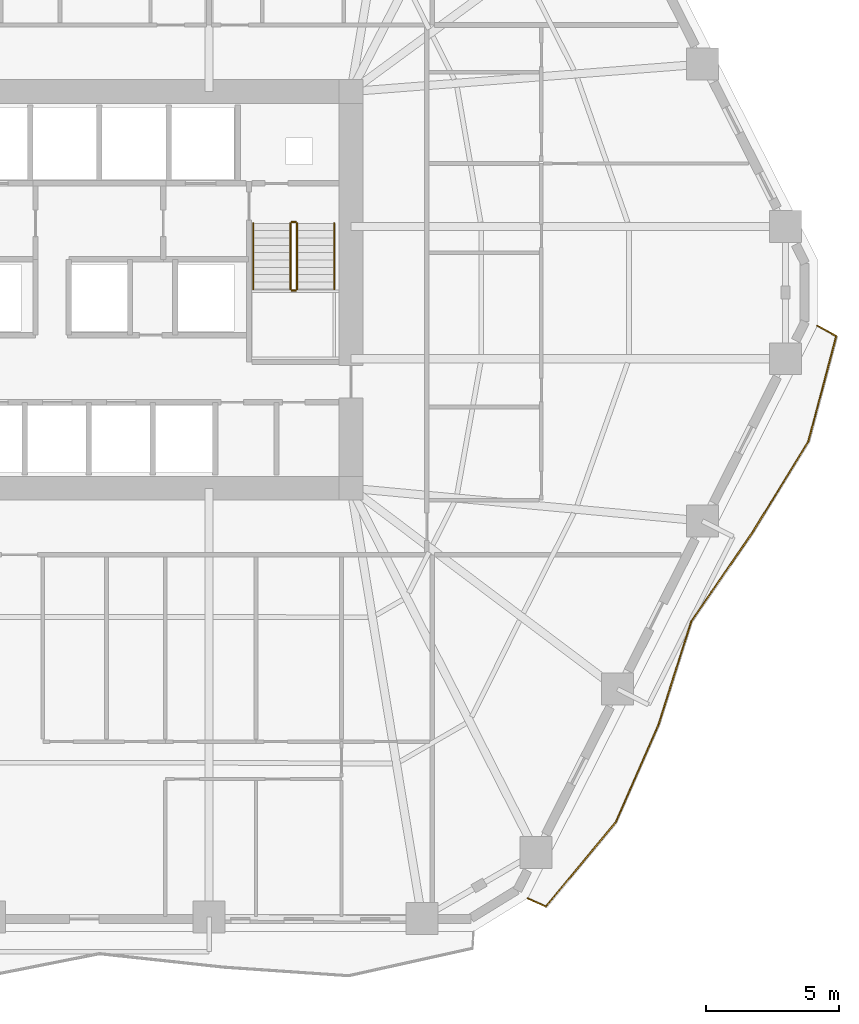
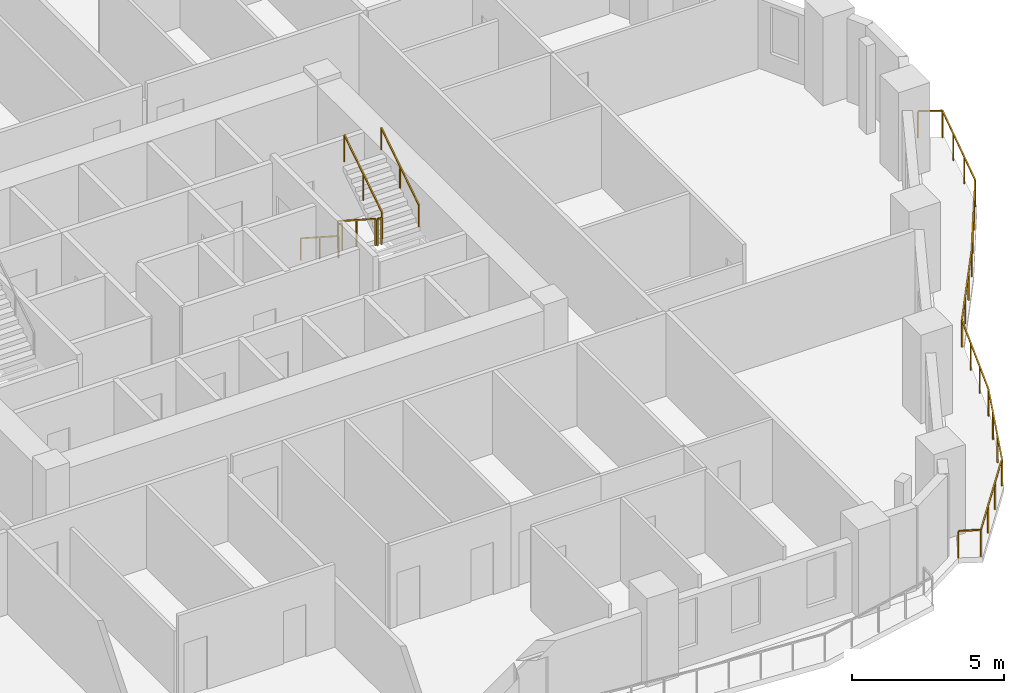
# One storey, part 11 of 12: 7 railings.
"""IFC4 building model written with IfcOpenShell, lengths in metres."""

from ifc_helpers import new_model, si_unit, direction, frame, origin, origin_2d, place, context, subcontext, project, spatial, rectangle, extrude, material, type_object, element, save


model = new_model("IFC4")

# Units and contexts
model_context = context("Model", 3, precision=1e-05, world=origin(), true_north=direction((0.0, 1.0)))
body_context = subcontext(model_context, "Body", "Model", "MODEL_VIEW")
ifc_project = project(units=[si_unit("LENGTHUNIT", "METRE"), si_unit("AREAUNIT", "SQUARE_METRE"), si_unit("VOLUMEUNIT", "CUBIC_METRE"), si_unit("PLANEANGLEUNIT", "RADIAN"), si_unit("MASSUNIT", "GRAM", prefix="KILO")], contexts=[model_context])

# Site, building, storey
site_placement = place(None, origin())
site = spatial("IfcSite", under=ifc_project, at=site_placement, CompositionType="ELEMENT")
building_placement = place(site_placement, origin())
building = spatial("IfcBuilding", under=site, at=building_placement, Name="Cinnabar Lancet Tower", CompositionType="ELEMENT")
storey_placement = place(building_placement, frame((0.0, 0.0, 32.0)))
storey = spatial("IfcBuildingStorey", under=building, at=storey_placement, Name="L07", CompositionType="ELEMENT", Elevation=32.0)

# Railings
ifc_material_1 = material(Name="Laminated safety glass and bronze stainless steel balustrade", Category="steel")
railing_type_1 = type_object("IfcRailingType", Name="ENV-RLG-BAL-1100", PredefinedType="BALUSTRADE", material=ifc_material_1)
railing_1_placement = place(storey_placement, frame((48.488037109375, 3.049072265625, 0.0)))
element("IfcRailing", 1, at=railing_1_placement, inside=storey, type_object=railing_type_1, Name="L07 Face 2 Wave Balcony Balustrade", PredefinedType="BALUSTRADE", context=body_context, shape_type="SweptSolid", body=[
    extrude(rectangle(XDim=0.048095703125, YDim=0.048095703125, at=origin_2d()), frame((0.0, 0.0, 1.076171875), z_axis=(0.911116710609, -0.412148443706, 0.0), x_axis=(0.412148443706, 0.911116710609, 0.0)), (0.0, 0.0, 1.0), 0.7451171875),
    extrude(rectangle(XDim=0.048095703125, YDim=0.048095703125, at=origin_2d()), frame((0.678955078125, -0.30712890625, 1.076171875), z_axis=(0.638452657752, 0.769661096724, 0.0), x_axis=(-0.769661096724, 0.638452657752, 0.0)), (0.0, 0.0, 1.0), 4.1083984375),
    extrude(rectangle(XDim=0.048095703125, YDim=0.048095703125, at=origin_2d()), frame((3.302001953125, 2.85498046875, 1.076171875), z_axis=(0.401817189308, 0.915719906072, 0.0), x_axis=(-0.915719906072, 0.401817189308, 0.0)), (0.0, 0.0, 1.0), 4.014404296875),
    extrude(rectangle(XDim=0.048095703125, YDim=0.048095703125, at=origin_2d()), frame((4.9150390625, 6.531005859375, 1.076171875), z_axis=(0.30182517961, 0.953363289074, 0.0), x_axis=(-0.953363289074, 0.30182517961, 0.0)), (0.0, 0.0, 1.0), 4.05810546875),
    extrude(rectangle(XDim=0.048095703125, YDim=0.048095703125, at=origin_2d()), frame((6.139892578125, 10.39990234375, 1.076171875), z_axis=(0.567072174899, 0.823668105765, 0.0), x_axis=(-0.823668105765, 0.567072174899, 0.0)), (0.0, 0.0, 1.0), 4.041748046875),
    extrude(rectangle(XDim=0.048095703125, YDim=0.048095703125, at=origin_2d()), frame((8.431884765625, 13.72900390625, 1.076171875), z_axis=(0.52362973773, 0.851945947678, 0.0), x_axis=(-0.851945947678, 0.52362973773, 0.0)), (0.0, 0.0, 1.0), 4.02001953125),
    extrude(rectangle(XDim=0.048095703125, YDim=0.048095703125, at=origin_2d()), frame((10.536865234375, 17.15380859375, 1.076171875), z_axis=(0.256575601442, 0.966524164594, 0.0), x_axis=(-0.966524164594, 0.256575601442, 0.0)), (0.0, 0.0, 1.0), 4.096435546875),
    extrude(rectangle(XDim=0.048095703125, YDim=0.048095703125, at=origin_2d()), frame((11.587890625, 21.113037109375, 1.076171875), z_axis=(-0.876471029179, 0.48145460327, 0.0), x_axis=(-0.48145460327, -0.876471029179, 0.0)), (0.0, 0.0, 1.0), 0.807861328125),
    extrude(rectangle(XDim=0.0419921875, YDim=0.0419921875, at=origin_2d()), origin(), (0.0, 0.0, 1.0), 1.052001953125),
    extrude(rectangle(XDim=0.0419921875, YDim=0.0419921875, at=origin_2d()), frame((0.678955078125, -0.30712890625, 0.0)), (0.0, 0.0, 1.0), 1.052001953125),
    extrude(rectangle(XDim=0.0419921875, YDim=0.0419921875, at=origin_2d()), frame((1.55322265625, 0.746826171875, 0.0)), (0.0, 0.0, 1.0), 1.052001953125),
    extrude(rectangle(XDim=0.0419921875, YDim=0.0419921875, at=origin_2d()), frame((2.427734375, 1.801025390625, 0.0)), (0.0, 0.0, 1.0), 1.052001953125),
    extrude(rectangle(XDim=0.0419921875, YDim=0.0419921875, at=origin_2d()), frame((3.302001953125, 2.85498046875, 0.0)), (0.0, 0.0, 1.0), 1.052001953125),
    extrude(rectangle(XDim=0.0419921875, YDim=0.0419921875, at=origin_2d()), frame((3.839599609375, 4.080322265625, 0.0)), (0.0, 0.0, 1.0), 1.052001953125),
    extrude(rectangle(XDim=0.0419921875, YDim=0.0419921875, at=origin_2d()), frame((4.37744140625, 5.3056640625, 0.0)), (0.0, 0.0, 1.0), 1.052001953125),
    extrude(rectangle(XDim=0.0419921875, YDim=0.0419921875, at=origin_2d()), frame((4.9150390625, 6.531005859375, 0.0)), (0.0, 0.0, 1.0), 1.052001953125),
    extrude(rectangle(XDim=0.0419921875, YDim=0.0419921875, at=origin_2d()), frame((5.3232421875, 7.820556640625, 0.0)), (0.0, 0.0, 1.0), 1.052001953125),
    extrude(rectangle(XDim=0.0419921875, YDim=0.0419921875, at=origin_2d()), frame((5.731689453125, 9.1103515625, 0.0)), (0.0, 0.0, 1.0), 1.052001953125),
    extrude(rectangle(XDim=0.0419921875, YDim=0.0419921875, at=origin_2d()), frame((6.139892578125, 10.39990234375, 0.0)), (0.0, 0.0, 1.0), 1.052001953125),
    extrude(rectangle(XDim=0.0419921875, YDim=0.0419921875, at=origin_2d()), frame((6.90380859375, 11.509521484375, 0.0)), (0.0, 0.0, 1.0), 1.052001953125),
    extrude(rectangle(XDim=0.0419921875, YDim=0.0419921875, at=origin_2d()), frame((7.66796875, 12.619384765625, 0.0)), (0.0, 0.0, 1.0), 1.052001953125),
    extrude(rectangle(XDim=0.0419921875, YDim=0.0419921875, at=origin_2d()), frame((8.431884765625, 13.72900390625, 0.0)), (0.0, 0.0, 1.0), 1.052001953125),
    extrude(rectangle(XDim=0.0419921875, YDim=0.0419921875, at=origin_2d()), frame((9.133544921875, 14.87060546875, 0.0)), (0.0, 0.0, 1.0), 1.052001953125),
    extrude(rectangle(XDim=0.0419921875, YDim=0.0419921875, at=origin_2d()), frame((9.835205078125, 16.01220703125, 0.0)), (0.0, 0.0, 1.0), 1.052001953125),
    extrude(rectangle(XDim=0.0419921875, YDim=0.0419921875, at=origin_2d()), frame((10.536865234375, 17.15380859375, 0.0)), (0.0, 0.0, 1.0), 1.052001953125),
    extrude(rectangle(XDim=0.0419921875, YDim=0.0419921875, at=origin_2d()), frame((10.88720703125, 18.4736328125, 0.0)), (0.0, 0.0, 1.0), 1.052001953125),
    extrude(rectangle(XDim=0.0419921875, YDim=0.0419921875, at=origin_2d()), frame((11.237548828125, 19.793212890625, 0.0)), (0.0, 0.0, 1.0), 1.052001953125),
    extrude(rectangle(XDim=0.0419921875, YDim=0.0419921875, at=origin_2d()), frame((11.587890625, 21.113037109375, 0.0)), (0.0, 0.0, 1.0), 1.052001953125),
    extrude(rectangle(XDim=0.0419921875, YDim=0.0419921875, at=origin_2d()), frame((10.8798828125, 21.501953125, 0.0)), (0.0, 0.0, 1.0), 1.052001953125),
])
ifc_material_2 = material(Name="Painted galvanized steel balustrade", Category="steel")
railing_type_2 = type_object("IfcRailingType", Name="GUARD-STAIR", PredefinedType="GUARDRAIL", material=ifc_material_2)
railing_2_placement = place(storey_placement, frame((39.574951171875, 28.39990234375, 0.177490234375)))
element("IfcRailing", 2, at=railing_2_placement, inside=storey, type_object=railing_type_2, Name="L07 ST-2 stair guard 1", PredefinedType="GUARDRAIL", context=body_context, shape_type="SweptSolid", body=[
    extrude(rectangle(XDim=0.048095703125, YDim=0.048095703125, at=origin_2d()), frame((0.0, 0.0, 1.076171875), z_axis=(0.0, -0.840183358697, 0.542302428327), x_axis=(1.0, 0.0, 0.0)), (0.0, 0.0, 1.0), 2.945556640625),
    extrude(rectangle(XDim=0.0419921875, YDim=0.0419921875, at=origin_2d()), origin(), (0.0, 0.0, 1.0), 1.052001953125),
    extrude(rectangle(XDim=0.0419921875, YDim=0.0419921875, at=origin_2d()), frame((0.0, -1.2373046875, 0.798828125)), (0.0, 0.0, 1.0), 1.052001953125),
    extrude(rectangle(XDim=0.0419921875, YDim=0.0419921875, at=origin_2d()), frame((0.0, -2.474853515625, 1.597412109375)), (0.0, 0.0, 1.0), 1.052001953125),
])
railing_3_placement = place(storey_placement, frame((39.625, 25.875, 1.77490234375)))
element("IfcRailing", 3, at=railing_3_placement, inside=storey, type_object=railing_type_2, Name="L07 ST-2 stair guard 2", PredefinedType="GUARDRAIL", context=body_context, shape_type="SweptSolid", body=[
    extrude(rectangle(XDim=0.048095703125, YDim=0.048095703125, at=origin_2d()), frame((0.0, 0.0, 1.076171875), z_axis=(1.0, 0.0, 0.0), x_axis=(0.0, 1.0, 0.0)), (0.0, 0.0, 1.0), 0.14990234375),
    extrude(rectangle(XDim=0.0419921875, YDim=0.0419921875, at=origin_2d()), origin(), (0.0, 0.0, 1.0), 1.052001953125),
    extrude(rectangle(XDim=0.0419921875, YDim=0.0419921875, at=origin_2d()), frame((0.14990234375, 0.0, 0.0)), (0.0, 0.0, 1.0), 1.052001953125),
])
railing_4_placement = place(storey_placement, frame((39.824951171875, 25.925048828125, 1.952392578125)))
element("IfcRailing", 4, at=railing_4_placement, inside=storey, type_object=railing_type_2, Name="L07 ST-2 stair guard 3", PredefinedType="GUARDRAIL", context=body_context, shape_type="SweptSolid", body=[
    extrude(rectangle(XDim=0.048095703125, YDim=0.048095703125, at=origin_2d()), frame((0.0, 0.0, 1.076171875), z_axis=(0.0, 0.84014559416, 0.542360932049), x_axis=(-1.0, 0.0, 0.0)), (0.0, 0.0, 1.0), 2.94580078125),
    extrude(rectangle(XDim=0.0419921875, YDim=0.0419921875, at=origin_2d()), origin(), (0.0, 0.0, 1.0), 1.052001953125),
    extrude(rectangle(XDim=0.0419921875, YDim=0.0419921875, at=origin_2d()), frame((0.0, 1.2373046875, 0.798828125)), (0.0, 0.0, 1.0), 1.052001953125),
    extrude(rectangle(XDim=0.0419921875, YDim=0.0419921875, at=origin_2d()), frame((0.0, 2.474853515625, 1.59765625)), (0.0, 0.0, 1.0), 1.052001953125),
])
railing_5_placement = place(storey_placement, frame((39.625, 28.449951171875, 0.0)))
element("IfcRailing", 5, at=railing_5_placement, inside=storey, type_object=railing_type_2, Name="L07 ST-2 stair guard 4", PredefinedType="GUARDRAIL", context=body_context, shape_type="SweptSolid", body=[
    extrude(rectangle(XDim=0.048095703125, YDim=0.048095703125, at=origin_2d()), frame((0.0, 0.0, 1.076171875), z_axis=(1.0, 0.0, 0.0), x_axis=(0.0, 1.0, 0.0)), (0.0, 0.0, 1.0), 0.14990234375),
    extrude(rectangle(XDim=0.0419921875, YDim=0.0419921875, at=origin_2d()), origin(), (0.0, 0.0, 1.0), 1.052001953125),
    extrude(rectangle(XDim=0.0419921875, YDim=0.0419921875, at=origin_2d()), frame((0.14990234375, 0.0, 0.0)), (0.0, 0.0, 1.0), 1.052001953125),
])
ifc_material_3 = material(Name="Brushed stainless steel handrail", Category="steel")
railing_type_3 = type_object("IfcRailingType", Name="HANDRAIL-STAIR", PredefinedType="HANDRAIL", material=ifc_material_3)
railing_6_placement = place(storey_placement, frame((38.175048828125, 28.39990234375, 0.177490234375)))
element("IfcRailing", 6, at=railing_6_placement, inside=storey, type_object=railing_type_3, Name="L07 ST-2 stair handrail 1", PredefinedType="HANDRAIL", context=body_context, shape_type="SweptSolid", body=[
    extrude(rectangle(XDim=0.048095703125, YDim=0.048095703125, at=origin_2d()), frame((0.0, 0.0, 0.8759765625), z_axis=(0.0, -0.840183358697, 0.542302428327), x_axis=(1.0, 0.0, 0.0)), (0.0, 0.0, 1.0), 2.945556640625),
    extrude(rectangle(XDim=0.0419921875, YDim=0.0419921875, at=origin_2d()), origin(), (0.0, 0.0, 1.0), 0.851806640625),
    extrude(rectangle(XDim=0.0419921875, YDim=0.0419921875, at=origin_2d()), frame((0.0, -1.2373046875, 0.798828125)), (0.0, 0.0, 1.0), 0.851806640625),
    extrude(rectangle(XDim=0.0419921875, YDim=0.0419921875, at=origin_2d()), frame((0.0, -2.474853515625, 1.597412109375)), (0.0, 0.0, 1.0), 0.851806640625),
])
railing_7_placement = place(storey_placement, frame((41.22509765625, 25.925048828125, 1.952392578125)))
element("IfcRailing", 7, at=railing_7_placement, inside=storey, type_object=railing_type_3, Name="L07 ST-2 stair handrail 2", PredefinedType="HANDRAIL", context=body_context, shape_type="SweptSolid", body=[
    extrude(rectangle(XDim=0.048095703125, YDim=0.048095703125, at=origin_2d()), frame((0.0, 0.0, 0.8759765625), z_axis=(0.0, 0.84014559416, 0.542360932049), x_axis=(-1.0, 0.0, 0.0)), (0.0, 0.0, 1.0), 2.94580078125),
    extrude(rectangle(XDim=0.0419921875, YDim=0.0419921875, at=origin_2d()), origin(), (0.0, 0.0, 1.0), 0.851806640625),
    extrude(rectangle(XDim=0.0419921875, YDim=0.0419921875, at=origin_2d()), frame((0.0, 1.2373046875, 0.798828125)), (0.0, 0.0, 1.0), 0.851806640625),
    extrude(rectangle(XDim=0.0419921875, YDim=0.0419921875, at=origin_2d()), frame((0.0, 2.474853515625, 1.59765625)), (0.0, 0.0, 1.0), 0.851806640625),
])

save(model, "model.ifc")
